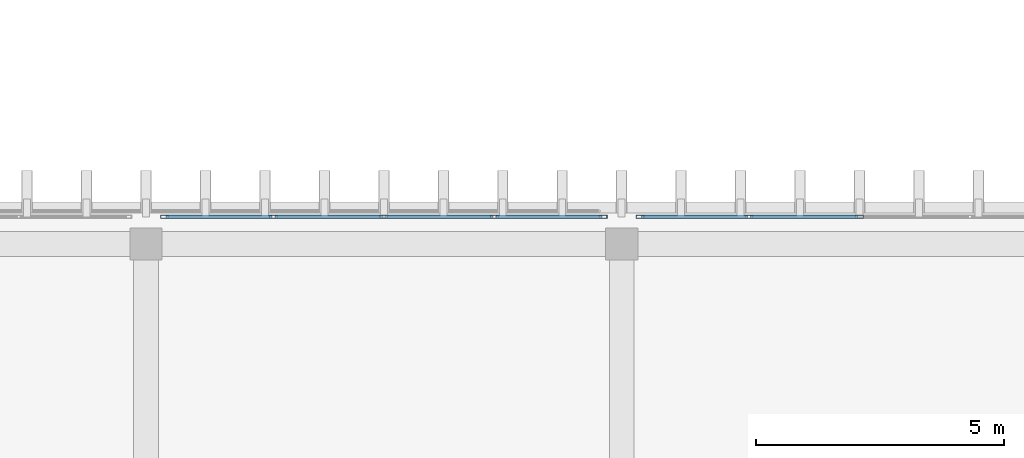
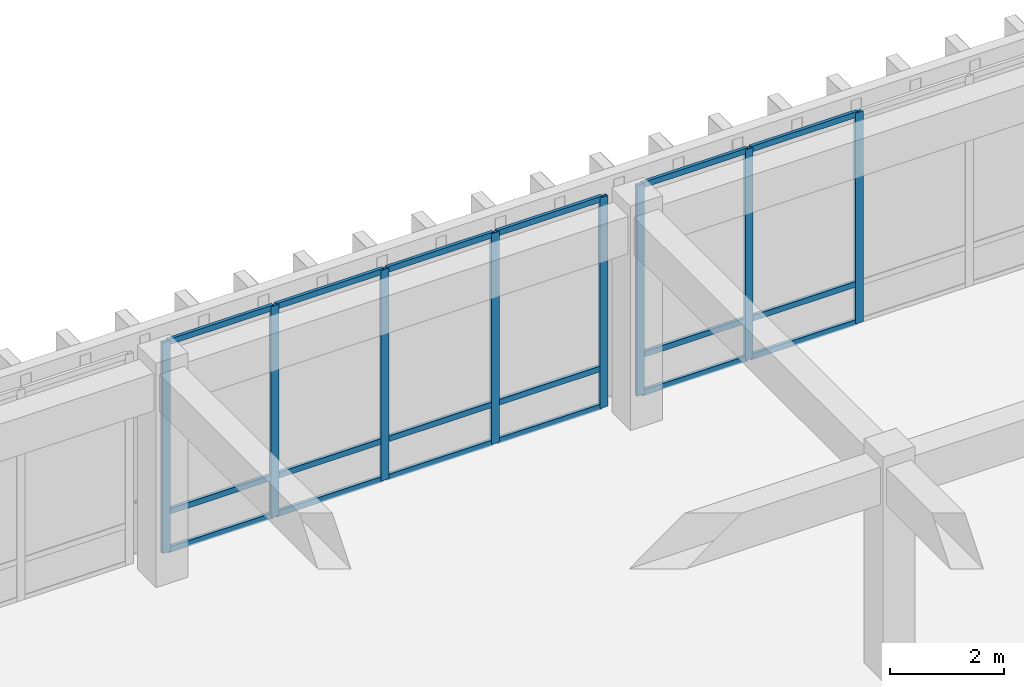
# One storey, part 29 of 101: 26 members, 2 elements without a shape of their own.
"""IFC4 building model written with IfcOpenShell, lengths in metres."""

from ifc_helpers import new_model, si_unit, direction, frame, origin, origin_2d, place, context, subcontext, project, spatial, hollow_rectangle, extrude, material, layer, layer_set, material_profile, profile_set, type_object, element, aggregate, save


model = new_model("IFC4")

# Units and contexts
model_context = context("Model", 3, precision=1e-05, world=origin(), true_north=direction((0.0, 1.0)))
body_context = subcontext(model_context, "Body", "Model", "MODEL_VIEW")
ifc_project = project(units=[si_unit("LENGTHUNIT", "METRE"), si_unit("AREAUNIT", "SQUARE_METRE"), si_unit("VOLUMEUNIT", "CUBIC_METRE"), si_unit("PLANEANGLEUNIT", "RADIAN"), si_unit("MASSUNIT", "GRAM", prefix="KILO")], contexts=[model_context])

# Site, building, storey
site_placement = place(None, origin())
site = spatial("IfcSite", under=ifc_project, at=site_placement, CompositionType="ELEMENT")
building_placement = place(site_placement, origin())
building = spatial("IfcBuilding", under=site, at=building_placement, Name="Nakhvara Creek Congress Hotel", CompositionType="ELEMENT")
storey_placement = place(building_placement, frame((0.0, 0.0, 16.199951171875)))
storey = spatial("IfcBuildingStorey", under=building, at=storey_placement, Name="L03", CompositionType="ELEMENT", Elevation=16.199951171875)

# Curtain wall, members
ifc_material_1 = material(Name="Bronze-anodised aluminium AW-6063-T6 and double-silver low-E glass", Category="aluminium")
ifc_layer = layer(ifc_material_1, 0.199951171875)
ifc_layer_set = layer_set([ifc_layer], Name="Bronze-anodised aluminium AW-6063-T6 and double-silver low-E glass")
curtain_wall_type = type_object("IfcCurtainWallType", Name="CW-POD-STICK", PredefinedType="NOTDEFINED", material=ifc_layer_set)
curtain_wall_1_placement = place(storey_placement, origin())
curtain_wall_1 = element("IfcCurtainWall", 1, at=curtain_wall_1_placement, inside=storey, type_object=curtain_wall_type, Name="Curtain Wall CW101", PredefinedType="NOTDEFINED")
ifc_material_2 = material(Name="Bronze-anodised aluminium AW-6063-T6", Category="aluminium")
ifc_material_profile_1 = material_profile(ifc_material_2, hollow_rectangle(XDim=0.06494140625, YDim=0.159912109375, WallThickness=0.00390625, at=origin_2d()), Name="ALU-MULL 65x160x4", Category="LoadBearing")
ifc_profile_set_1 = profile_set([ifc_material_profile_1], Name="Bronze-anodised aluminium AW-6063-T6")
member_type_1 = type_object("IfcMemberType", Name="CW-MULL-160", PredefinedType="MULLION", material=ifc_profile_set_1)
member_1_placement = place(storey_placement, frame((96.37255859375, 95.800048828125, 0.0), z_axis=(0.0, 0.0, 1.0), x_axis=(0.0, 1.0, 0.0)))
member_1 = element("IfcMember", 2, at=member_1_placement, type_object=member_type_1, Name="CW101 mullion 1", PredefinedType="MULLION", context=body_context, shape_type="SweptSolid", body=[
    extrude(hollow_rectangle(XDim=0.06494140625, YDim=0.159912109375, WallThickness=0.00390625, at=origin_2d()), origin(), (0.0, 0.0, 1.0), 4.510009765625),
])
member_2_placement = place(storey_placement, frame((98.570068359375, 95.800048828125, 0.0), z_axis=(0.0, 0.0, 1.0), x_axis=(0.0, 1.0, 0.0)))
member_2 = element("IfcMember", 3, at=member_2_placement, type_object=member_type_1, Name="CW101 mullion 2", PredefinedType="MULLION", context=body_context, shape_type="SweptSolid", body=[
    extrude(hollow_rectangle(XDim=0.06494140625, YDim=0.159912109375, WallThickness=0.00390625, at=origin_2d()), origin(), (0.0, 0.0, 1.0), 4.510009765625),
])
member_3_placement = place(storey_placement, frame((100.800048828125, 95.800048828125, 0.0), z_axis=(0.0, 0.0, 1.0), x_axis=(0.0, 1.0, 0.0)))
member_3 = element("IfcMember", 4, at=member_3_placement, type_object=member_type_1, Name="CW101 mullion 3", PredefinedType="MULLION", context=body_context, shape_type="SweptSolid", body=[
    extrude(hollow_rectangle(XDim=0.06494140625, YDim=0.159912109375, WallThickness=0.00390625, at=origin_2d()), origin(), (0.0, 0.0, 1.0), 4.510009765625),
])
member_4_placement = place(storey_placement, frame((103.030029296875, 95.800048828125, 0.0), z_axis=(0.0, 0.0, 1.0), x_axis=(0.0, 1.0, 0.0)))
member_4 = element("IfcMember", 5, at=member_4_placement, type_object=member_type_1, Name="CW101 mullion 4", PredefinedType="MULLION", context=body_context, shape_type="SweptSolid", body=[
    extrude(hollow_rectangle(XDim=0.06494140625, YDim=0.159912109375, WallThickness=0.00390625, at=origin_2d()), origin(), (0.0, 0.0, 1.0), 4.510009765625),
])
member_5_placement = place(storey_placement, frame((105.2275390625, 95.800048828125, 0.0), z_axis=(0.0, 0.0, 1.0), x_axis=(0.0, 1.0, 0.0)))
member_5 = element("IfcMember", 6, at=member_5_placement, type_object=member_type_1, Name="CW101 mullion 5", PredefinedType="MULLION", context=body_context, shape_type="SweptSolid", body=[
    extrude(hollow_rectangle(XDim=0.06494140625, YDim=0.159912109375, WallThickness=0.00390625, at=origin_2d()), origin(), (0.0, 0.0, 1.0), 4.510009765625),
])

curtain_wall_2_placement = place(storey_placement, origin())
curtain_wall_2 = element("IfcCurtainWall", 7, at=curtain_wall_2_placement, inside=storey, type_object=curtain_wall_type, Name="Curtain Wall CW102", PredefinedType="NOTDEFINED")
member_6_placement = place(storey_placement, frame((105.972412109375, 95.800048828125, 0.0), z_axis=(0.0, 0.0, 1.0), x_axis=(0.0, 1.0, 0.0)))
member_6 = element("IfcMember", 8, at=member_6_placement, type_object=member_type_1, Name="CW102 mullion 1", PredefinedType="MULLION", context=body_context, shape_type="SweptSolid", body=[
    extrude(hollow_rectangle(XDim=0.06494140625, YDim=0.159912109375, WallThickness=0.00390625, at=origin_2d()), origin(), (0.0, 0.0, 1.0), 4.510009765625),
])
member_7_placement = place(storey_placement, frame((108.169921875, 95.800048828125, 0.0), z_axis=(0.0, 0.0, 1.0), x_axis=(0.0, 1.0, 0.0)))
member_7 = element("IfcMember", 9, at=member_7_placement, type_object=member_type_1, Name="CW102 mullion 2", PredefinedType="MULLION", context=body_context, shape_type="SweptSolid", body=[
    extrude(hollow_rectangle(XDim=0.06494140625, YDim=0.159912109375, WallThickness=0.00390625, at=origin_2d()), origin(), (0.0, 0.0, 1.0), 4.510009765625),
])
member_8_placement = place(storey_placement, frame((110.39990234375, 95.800048828125, 0.0), z_axis=(0.0, 0.0, 1.0), x_axis=(0.0, 1.0, 0.0)))
member_8 = element("IfcMember", 10, at=member_8_placement, type_object=member_type_1, Name="CW102 mullion 3", PredefinedType="MULLION", context=body_context, shape_type="SweptSolid", body=[
    extrude(hollow_rectangle(XDim=0.06494140625, YDim=0.159912109375, WallThickness=0.00390625, at=origin_2d()), origin(), (0.0, 0.0, 1.0), 4.510009765625),
])

# Member
ifc_material_profile_2 = material_profile(ifc_material_2, hollow_rectangle(XDim=0.06494140625, YDim=0.1201171875, WallThickness=0.00390625, at=origin_2d()), Name="ALU-TRAN 65x120x4", Category="LoadBearing")
ifc_profile_set_2 = profile_set([ifc_material_profile_2], Name="Bronze-anodised aluminium AW-6063-T6")
member_type_2 = type_object("IfcMemberType", Name="CW-TRAN-120", PredefinedType="USERDEFINED", material=ifc_profile_set_2)
member_9_placement = place(storey_placement, frame((96.405029296875, 95.800048828125, 0.032470703125), z_axis=(1.0, 0.0, 0.0), x_axis=(0.0, 1.0, 0.0)))
member_9 = element("IfcMember", 11, at=member_9_placement, type_object=member_type_2, Name="CW101 transom 1.1", ObjectType="TRANSOM", PredefinedType="USERDEFINED", context=body_context, shape_type="SweptSolid", body=[
    extrude(hollow_rectangle(XDim=0.06494140625, YDim=0.1201171875, WallThickness=0.00390625, at=origin_2d()), origin(), (0.0, 0.0, 1.0), 2.132568359375),
])

member_10_placement = place(storey_placement, frame((96.405029296875, 95.800048828125, 0.85009765625), z_axis=(1.0, 0.0, 0.0), x_axis=(0.0, 1.0, 0.0)))
member_10 = element("IfcMember", 12, at=member_10_placement, type_object=member_type_2, Name="CW101 transom 1.2", ObjectType="TRANSOM", PredefinedType="USERDEFINED", context=body_context, shape_type="SweptSolid", body=[
    extrude(hollow_rectangle(XDim=0.06494140625, YDim=0.1201171875, WallThickness=0.00390625, at=origin_2d()), origin(), (0.0, 0.0, 1.0), 2.132568359375),
])

member_11_placement = place(storey_placement, frame((96.405029296875, 95.800048828125, 4.4775390625), z_axis=(1.0, 0.0, 0.0), x_axis=(0.0, 1.0, 0.0)))
member_11 = element("IfcMember", 13, at=member_11_placement, type_object=member_type_2, Name="CW101 transom 1.3", ObjectType="TRANSOM", PredefinedType="USERDEFINED", context=body_context, shape_type="SweptSolid", body=[
    extrude(hollow_rectangle(XDim=0.06494140625, YDim=0.1201171875, WallThickness=0.00390625, at=origin_2d()), origin(), (0.0, 0.0, 1.0), 2.132568359375),
])

member_12_placement = place(storey_placement, frame((98.6025390625, 95.800048828125, 0.032470703125), z_axis=(1.0, 0.0, 0.0), x_axis=(0.0, 1.0, 0.0)))
member_12 = element("IfcMember", 14, at=member_12_placement, type_object=member_type_2, Name="CW101 transom 2.1", ObjectType="TRANSOM", PredefinedType="USERDEFINED", context=body_context, shape_type="SweptSolid", body=[
    extrude(hollow_rectangle(XDim=0.06494140625, YDim=0.1201171875, WallThickness=0.00390625, at=origin_2d()), origin(), (0.0, 0.0, 1.0), 2.1650390625),
])

member_13_placement = place(storey_placement, frame((98.6025390625, 95.800048828125, 0.85009765625), z_axis=(1.0, 0.0, 0.0), x_axis=(0.0, 1.0, 0.0)))
member_13 = element("IfcMember", 15, at=member_13_placement, type_object=member_type_2, Name="CW101 transom 2.2", ObjectType="TRANSOM", PredefinedType="USERDEFINED", context=body_context, shape_type="SweptSolid", body=[
    extrude(hollow_rectangle(XDim=0.06494140625, YDim=0.1201171875, WallThickness=0.00390625, at=origin_2d()), origin(), (0.0, 0.0, 1.0), 2.1650390625),
])

member_14_placement = place(storey_placement, frame((98.6025390625, 95.800048828125, 4.4775390625), z_axis=(1.0, 0.0, 0.0), x_axis=(0.0, 1.0, 0.0)))
member_14 = element("IfcMember", 16, at=member_14_placement, type_object=member_type_2, Name="CW101 transom 2.3", ObjectType="TRANSOM", PredefinedType="USERDEFINED", context=body_context, shape_type="SweptSolid", body=[
    extrude(hollow_rectangle(XDim=0.06494140625, YDim=0.1201171875, WallThickness=0.00390625, at=origin_2d()), origin(), (0.0, 0.0, 1.0), 2.1650390625),
])

member_15_placement = place(storey_placement, frame((100.83251953125, 95.800048828125, 0.032470703125), z_axis=(1.0, 0.0, 0.0), x_axis=(0.0, 1.0, 0.0)))
member_15 = element("IfcMember", 17, at=member_15_placement, type_object=member_type_2, Name="CW101 transom 3.1", ObjectType="TRANSOM", PredefinedType="USERDEFINED", context=body_context, shape_type="SweptSolid", body=[
    extrude(hollow_rectangle(XDim=0.06494140625, YDim=0.1201171875, WallThickness=0.00390625, at=origin_2d()), origin(), (0.0, 0.0, 1.0), 2.1650390625),
])

member_16_placement = place(storey_placement, frame((100.83251953125, 95.800048828125, 0.85009765625), z_axis=(1.0, 0.0, 0.0), x_axis=(0.0, 1.0, 0.0)))
member_16 = element("IfcMember", 18, at=member_16_placement, type_object=member_type_2, Name="CW101 transom 3.2", ObjectType="TRANSOM", PredefinedType="USERDEFINED", context=body_context, shape_type="SweptSolid", body=[
    extrude(hollow_rectangle(XDim=0.06494140625, YDim=0.1201171875, WallThickness=0.00390625, at=origin_2d()), origin(), (0.0, 0.0, 1.0), 2.1650390625),
])

member_17_placement = place(storey_placement, frame((100.83251953125, 95.800048828125, 4.4775390625), z_axis=(1.0, 0.0, 0.0), x_axis=(0.0, 1.0, 0.0)))
member_17 = element("IfcMember", 19, at=member_17_placement, type_object=member_type_2, Name="CW101 transom 3.3", ObjectType="TRANSOM", PredefinedType="USERDEFINED", context=body_context, shape_type="SweptSolid", body=[
    extrude(hollow_rectangle(XDim=0.06494140625, YDim=0.1201171875, WallThickness=0.00390625, at=origin_2d()), origin(), (0.0, 0.0, 1.0), 2.1650390625),
])

member_18_placement = place(storey_placement, frame((103.0625, 95.800048828125, 0.032470703125), z_axis=(1.0, 0.0, 0.0), x_axis=(0.0, 1.0, 0.0)))
member_18 = element("IfcMember", 20, at=member_18_placement, type_object=member_type_2, Name="CW101 transom 4.1", ObjectType="TRANSOM", PredefinedType="USERDEFINED", context=body_context, shape_type="SweptSolid", body=[
    extrude(hollow_rectangle(XDim=0.06494140625, YDim=0.1201171875, WallThickness=0.00390625, at=origin_2d()), origin(), (0.0, 0.0, 1.0), 2.132568359375),
])

member_19_placement = place(storey_placement, frame((103.0625, 95.800048828125, 0.85009765625), z_axis=(1.0, 0.0, 0.0), x_axis=(0.0, 1.0, 0.0)))
member_19 = element("IfcMember", 21, at=member_19_placement, type_object=member_type_2, Name="CW101 transom 4.2", ObjectType="TRANSOM", PredefinedType="USERDEFINED", context=body_context, shape_type="SweptSolid", body=[
    extrude(hollow_rectangle(XDim=0.06494140625, YDim=0.1201171875, WallThickness=0.00390625, at=origin_2d()), origin(), (0.0, 0.0, 1.0), 2.132568359375),
])

member_20_placement = place(storey_placement, frame((103.0625, 95.800048828125, 4.4775390625), z_axis=(1.0, 0.0, 0.0), x_axis=(0.0, 1.0, 0.0)))
member_20 = element("IfcMember", 22, at=member_20_placement, type_object=member_type_2, Name="CW101 transom 4.3", ObjectType="TRANSOM", PredefinedType="USERDEFINED", context=body_context, shape_type="SweptSolid", body=[
    extrude(hollow_rectangle(XDim=0.06494140625, YDim=0.1201171875, WallThickness=0.00390625, at=origin_2d()), origin(), (0.0, 0.0, 1.0), 2.132568359375),
])

aggregate(curtain_wall_1, [member_1, member_2, member_3, member_4, member_5, member_9, member_10, member_11, member_12, member_13, member_14, member_15, member_16, member_17, member_18, member_19, member_20])

member_21_placement = place(storey_placement, frame((106.0048828125, 95.800048828125, 0.032470703125), z_axis=(1.0, 0.0, 0.0), x_axis=(0.0, 1.0, 0.0)))
member_21 = element("IfcMember", 23, at=member_21_placement, type_object=member_type_2, Name="CW102 transom 1.1", ObjectType="TRANSOM", PredefinedType="USERDEFINED", context=body_context, shape_type="SweptSolid", body=[
    extrude(hollow_rectangle(XDim=0.06494140625, YDim=0.1201171875, WallThickness=0.00390625, at=origin_2d()), origin(), (0.0, 0.0, 1.0), 2.132568359375),
])

member_22_placement = place(storey_placement, frame((106.0048828125, 95.800048828125, 0.85009765625), z_axis=(1.0, 0.0, 0.0), x_axis=(0.0, 1.0, 0.0)))
member_22 = element("IfcMember", 24, at=member_22_placement, type_object=member_type_2, Name="CW102 transom 1.2", ObjectType="TRANSOM", PredefinedType="USERDEFINED", context=body_context, shape_type="SweptSolid", body=[
    extrude(hollow_rectangle(XDim=0.06494140625, YDim=0.1201171875, WallThickness=0.00390625, at=origin_2d()), origin(), (0.0, 0.0, 1.0), 2.132568359375),
])

member_23_placement = place(storey_placement, frame((106.0048828125, 95.800048828125, 4.4775390625), z_axis=(1.0, 0.0, 0.0), x_axis=(0.0, 1.0, 0.0)))
member_23 = element("IfcMember", 25, at=member_23_placement, type_object=member_type_2, Name="CW102 transom 1.3", ObjectType="TRANSOM", PredefinedType="USERDEFINED", context=body_context, shape_type="SweptSolid", body=[
    extrude(hollow_rectangle(XDim=0.06494140625, YDim=0.1201171875, WallThickness=0.00390625, at=origin_2d()), origin(), (0.0, 0.0, 1.0), 2.132568359375),
])

member_24_placement = place(storey_placement, frame((108.202392578125, 95.800048828125, 0.032470703125), z_axis=(1.0, 0.0, 0.0), x_axis=(0.0, 1.0, 0.0)))
member_24 = element("IfcMember", 26, at=member_24_placement, type_object=member_type_2, Name="CW102 transom 2.1", ObjectType="TRANSOM", PredefinedType="USERDEFINED", context=body_context, shape_type="SweptSolid", body=[
    extrude(hollow_rectangle(XDim=0.06494140625, YDim=0.1201171875, WallThickness=0.00390625, at=origin_2d()), origin(), (0.0, 0.0, 1.0), 2.1650390625),
])

member_25_placement = place(storey_placement, frame((108.202392578125, 95.800048828125, 0.85009765625), z_axis=(1.0, 0.0, 0.0), x_axis=(0.0, 1.0, 0.0)))
member_25 = element("IfcMember", 27, at=member_25_placement, type_object=member_type_2, Name="CW102 transom 2.2", ObjectType="TRANSOM", PredefinedType="USERDEFINED", context=body_context, shape_type="SweptSolid", body=[
    extrude(hollow_rectangle(XDim=0.06494140625, YDim=0.1201171875, WallThickness=0.00390625, at=origin_2d()), origin(), (0.0, 0.0, 1.0), 2.1650390625),
])

member_26_placement = place(storey_placement, frame((108.202392578125, 95.800048828125, 4.4775390625), z_axis=(1.0, 0.0, 0.0), x_axis=(0.0, 1.0, 0.0)))
member_26 = element("IfcMember", 28, at=member_26_placement, type_object=member_type_2, Name="CW102 transom 2.3", ObjectType="TRANSOM", PredefinedType="USERDEFINED", context=body_context, shape_type="SweptSolid", body=[
    extrude(hollow_rectangle(XDim=0.06494140625, YDim=0.1201171875, WallThickness=0.00390625, at=origin_2d()), origin(), (0.0, 0.0, 1.0), 2.1650390625),
])

aggregate(curtain_wall_2, [member_6, member_7, member_8, member_21, member_22, member_23, member_24, member_25, member_26])

save(model, "model.ifc")
